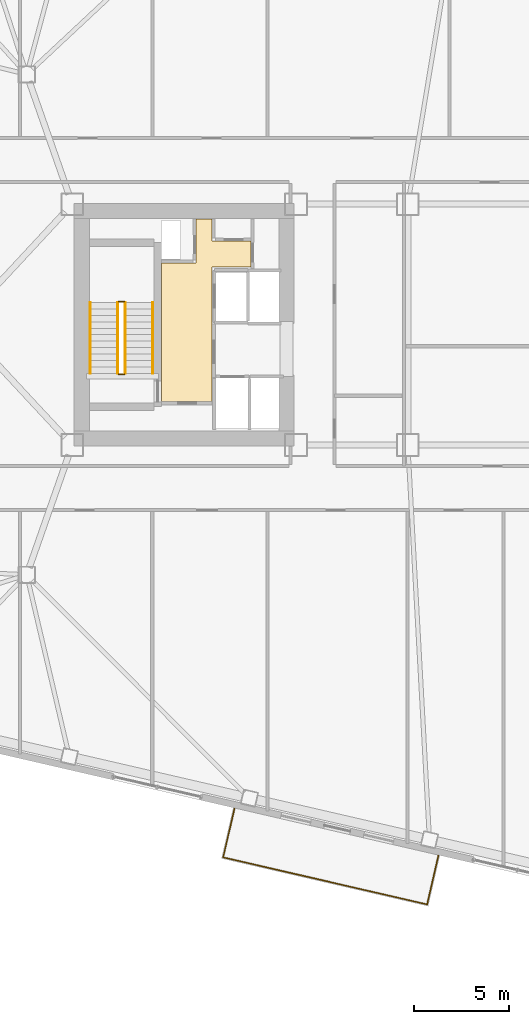
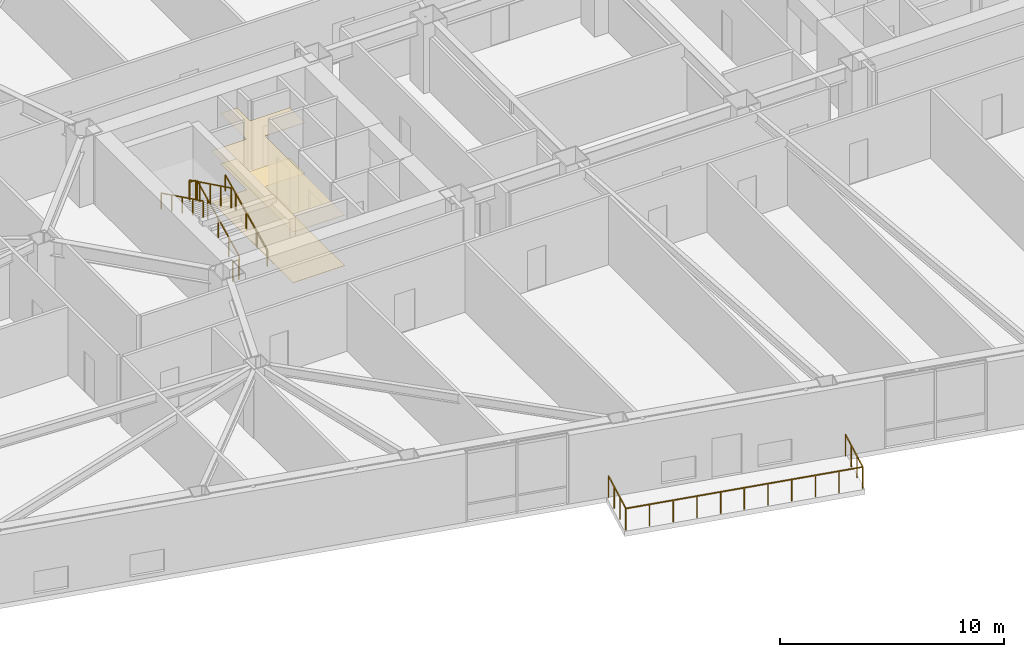
# One storey, part 20 of 21: 7 railings, 2 coverings.
"""IFC4 building model written with IfcOpenShell, lengths in metres."""

import ifcopenshell
import ifcopenshell.guid

model = None  # the IFC model being written
_history = None  # IfcOwnerHistory: only IFC2X3 demands one
_inside = {}  # id of a spatial element -> (the spatial element, [elements in it])
_under = {}  # id of a project, library or spatial element -> (it, [spatial elements below it])
_declared = {}  # id of a project -> (the project, [libraries it declares])
_typed = {}  # id of a type object -> (the type object, [elements of that type])
_made_of = {}  # id of a material, layer set ... -> (it, [elements and type objects made of it])


def new_model(schema):
    """Start an empty IFC model of exactly this schema.

    Asked for "IFC4X3", IfcOpenShell would pick the latest addendum, in which some entities
    have other attributes; the version numbers below select the first issue.
    IFC2X3 requires an IfcOwnerHistory on every rooted entity: one is made here for all.
    """
    global model, _history
    if schema == "IFC4X3":
        model = ifcopenshell.file(schema_version=(4, 3, 0, 0))
    else:
        model = ifcopenshell.file(schema=schema)
    _inside.clear()
    _under.clear()
    _declared.clear()
    _typed.clear()
    _made_of.clear()
    _history = None
    if model.schema == "IFC2X3":
        org = make("IfcOrganization", Name="unknown")
        user = make(
            "IfcPersonAndOrganization",
            ThePerson=make("IfcPerson", FamilyName="unknown"),
            TheOrganization=org,
        )
        app = make(
            "IfcApplication",
            ApplicationDeveloper=org,
            Version="unknown",
            ApplicationFullName="unknown",
            ApplicationIdentifier="unknown",
        )
        _history = make(
            "IfcOwnerHistory",
            OwningUser=user,
            OwningApplication=app,
            ChangeAction="ADDED",
            CreationDate=0,
        )
    return model


def make(cls, **values):
    """One entity of the class cls with the attributes given. An attribute that is None is left unset."""
    return model.create_entity(
        cls, **{name: value for name, value in values.items() if value is not None}
    )


def rooted(cls, **values):
    """An entity with a GlobalId (a new one), such as an element, a storey or a relation."""
    return make(cls, GlobalId=ifcopenshell.guid.new(), OwnerHistory=_history, **values)


def si_unit(unit_type, name, prefix=None):
    """IfcSIUnit, for example si_unit("LENGTHUNIT", "METRE", prefix="MILLI")."""
    return make("IfcSIUnit", UnitType=unit_type, Prefix=prefix, Name=name)


def assignment(units):
    """IfcUnitAssignment: the units of a project."""
    return None if units is None else make("IfcUnitAssignment", Units=units)


def point(xyz):
    """IfcCartesianPoint."""
    return None if xyz is None else make("IfcCartesianPoint", Coordinates=xyz)


def direction(xyz):
    """IfcDirection."""
    return None if xyz is None else make("IfcDirection", DirectionRatios=xyz)


def frame(location, z_axis=None, x_axis=None):
    """IfcAxis2Placement3D, a coordinate frame: its origin and axes. An axis left out is left unset."""
    return make(
        "IfcAxis2Placement3D",
        Location=point(location),
        Axis=direction(z_axis),
        RefDirection=direction(x_axis),
    )


def frame_2d(location, x_axis=None):
    """IfcAxis2Placement2D, a coordinate frame in the plane: its origin and x axis."""
    return make(
        "IfcAxis2Placement2D", Location=point(location), RefDirection=direction(x_axis)
    )


def origin():
    """The frame at (0, 0, 0) with its axes left unset."""
    return frame((0.0, 0.0, 0.0))


def origin_2d():
    """The frame at (0, 0) in the plane with its x axis left unset."""
    return frame_2d((0.0, 0.0))


def place(relative_to, where):
    """IfcLocalPlacement: puts the frame where relative to a parent placement (None: the world)."""
    return make(
        "IfcLocalPlacement", PlacementRelTo=relative_to, RelativePlacement=where
    )


def context(
    kind, dimensions, precision=None, world=None, true_north=None, identifier=None
):
    """IfcGeometricRepresentationContext, for example the 3D "Model" context."""
    return make(
        "IfcGeometricRepresentationContext",
        ContextIdentifier=identifier,
        ContextType=kind,
        CoordinateSpaceDimension=dimensions,
        Precision=precision,
        WorldCoordinateSystem=world,
        TrueNorth=true_north,
    )


def subcontext(parent, identifier, kind, view, scale=None):
    """IfcGeometricRepresentationSubContext, for example "Body" below "Model"."""
    return make(
        "IfcGeometricRepresentationSubContext",
        ContextIdentifier=identifier,
        ContextType=kind,
        ParentContext=parent,
        TargetScale=scale,
        TargetView=view,
    )


def project(units=None, contexts=None):
    """IfcProject with its units and contexts."""
    return rooted(
        "IfcProject",
        Name="project",
        RepresentationContexts=contexts,
        UnitsInContext=assignment(units),
    )


def spatial(cls, under=None, at=None, **own):
    """A site, building, storey or space (cls), placed at a placement, below another one or the project."""
    s = rooted(cls, ObjectPlacement=at, **own)
    if under is not None:
        _under.setdefault(under.id(), (under, []))[1].append(s)
    return s


def polyline(points):
    """IfcPolyline through the points."""
    return make("IfcPolyline", Points=[point(p) for p in points])


def profile(cls, at=None, kind="AREA", **sizes):
    """A parametric profile (cls). Its sizes go by their IFC names, for example OverallWidth=200.0."""
    return make(cls, ProfileType=kind, Position=at, **sizes)


def rectangle(**sizes):
    """IfcRectangleProfileDef."""
    return profile("IfcRectangleProfileDef", **sizes)


def outline(outer, holes=None, kind="AREA"):
    """IfcArbitraryClosedProfileDef: a profile drawn as a closed curve; with holes, ...WithVoids."""
    if holes is None:
        return make("IfcArbitraryClosedProfileDef", ProfileType=kind, OuterCurve=outer)
    return make(
        "IfcArbitraryProfileDefWithVoids",
        ProfileType=kind,
        OuterCurve=outer,
        InnerCurves=holes,
    )


def extrude(swept, where, along, depth):
    """IfcExtrudedAreaSolid: the profile swept, set in the frame where, extruded along a direction by depth."""
    return make(
        "IfcExtrudedAreaSolid",
        SweptArea=swept,
        Position=where,
        ExtrudedDirection=direction(along),
        Depth=depth,
    )


def shape(context_of_items, identifier, shape_type, items):
    """IfcShapeRepresentation: the items that make up one representation, for example the "Body"."""
    return make(
        "IfcShapeRepresentation",
        ContextOfItems=context_of_items,
        RepresentationIdentifier=identifier,
        RepresentationType=shape_type,
        Items=items,
    )


def material(Name=None, Category=None):
    """IfcMaterial."""
    return make("IfcMaterial", Name=Name, Category=Category)


def layer(
    of_material, thickness, ventilated=None, Name=None, Category=None, Priority=None
):
    """IfcMaterialLayer: one layer of a wall or slab, of a material (None: an air gap)."""
    return make(
        "IfcMaterialLayer",
        Material=of_material,
        LayerThickness=thickness,
        IsVentilated=ventilated,
        Name=Name,
        Category=Category,
        Priority=Priority,
    )


def layer_set(layers, Name=None):
    """IfcMaterialLayerSet."""
    return make("IfcMaterialLayerSet", MaterialLayers=layers, LayerSetName=Name)


def made_of(thing, what):
    """Note that an element or type object is made of a material, layer set ...; save() writes the relation."""
    if what is not None:
        _made_of.setdefault(what.id(), (what, []))[1].append(thing)
    return thing


def type_object(cls, material=None, **own):
    """A type object (cls), such as IfcWallType, which elements share."""
    return made_of(rooted(cls, **own), material)


def element(
    cls,
    number,
    at=None,
    inside=None,
    cuts=None,
    type_object=None,
    material=None,
    context=None,
    identifier="Body",
    shape_type=None,
    held_by="IfcProductDefinitionShape",
    body=None,
    shapes=None,
    **own,
):
    """One element of the class cls, such as IfcWall. Its Tag is "e" and its number.

    at: its placement. inside: the storey or other place that contains it. cuts: it is an
    opening in that element (IfcRelVoidsElement). A single representation is given by context,
    identifier, shape_type and body (its items); several are given by shapes. held_by: the class
    of the entity that holds the representations. save() writes the other relations.
    """
    e = rooted(cls, Tag="e%d" % number, ObjectPlacement=at, **own)
    if body is not None:
        shapes = [shape(context, identifier, shape_type, body)]
    if shapes is not None:
        e.Representation = make(held_by, Representations=shapes)
    if inside is not None:
        _inside.setdefault(inside.id(), (inside, []))[1].append(e)
    if cuts is not None:
        rooted(
            "IfcRelVoidsElement", RelatingBuildingElement=cuts, RelatedOpeningElement=e
        )
    if type_object is not None:
        _typed.setdefault(type_object.id(), (type_object, []))[1].append(e)
    return made_of(e, material)


def aggregate(whole, parts):
    """IfcRelAggregates: a whole, such as a stair, and the parts it consists of."""
    return rooted("IfcRelAggregates", RelatingObject=whole, RelatedObjects=parts)


def save(model, path):
    """Write the relations noted so far, then the file.

    IfcRelAggregates (storeys below a building ...), IfcRelContainedInSpatialStructure (elements
    in a storey), IfcRelDefinesByType, IfcRelAssociatesMaterial and IfcRelDeclares: one each for
    every whole, place, type object, material and project.
    """
    for whole, parts in _under.values():
        aggregate(whole, parts)
    for where, things in _inside.values():
        rooted(
            "IfcRelContainedInSpatialStructure",
            RelatedElements=things,
            RelatingStructure=where,
        )
    for kind, things in _typed.values():
        rooted("IfcRelDefinesByType", RelatedObjects=things, RelatingType=kind)
    for what, things in _made_of.values():
        rooted("IfcRelAssociatesMaterial", RelatedObjects=things, RelatingMaterial=what)
    for by, libraries in _declared.values():
        rooted("IfcRelDeclares", RelatingContext=by, RelatedDefinitions=libraries)
    model.write(path)


model = new_model("IFC4")

# Units and contexts
model_context = context("Model", 3, precision=1e-05, world=origin(), true_north=direction((0.0, 1.0)))
body_context = subcontext(model_context, "Body", "Model", "MODEL_VIEW")
ifc_project = project(units=[si_unit("LENGTHUNIT", "METRE"), si_unit("AREAUNIT", "SQUARE_METRE"), si_unit("VOLUMEUNIT", "CUBIC_METRE"), si_unit("PLANEANGLEUNIT", "RADIAN"), si_unit("MASSUNIT", "GRAM", prefix="KILO")], contexts=[model_context])

# Site, building, storey
site_placement = place(None, origin())
site = spatial("IfcSite", under=ifc_project, at=site_placement, CompositionType="ELEMENT")
building_placement = place(site_placement, origin())
building = spatial("IfcBuilding", under=site, at=building_placement, Name="Tavrogorsk Clinical Tower", CompositionType="ELEMENT")
storey_placement = place(building_placement, frame((0.0, 0.0, 59.39990234375)))
storey = spatial("IfcBuildingStorey", under=building, at=storey_placement, Name="L12", CompositionType="ELEMENT", Elevation=59.39990234375)

# Coverings
ifc_material_1 = material(Name="Antibacterial micro-perforated aluminium ceiling", Category="aluminium")
ifc_layer_1 = layer(ifc_material_1, 0.014892578125)
ifc_layer_set_1 = layer_set([ifc_layer_1], Name="Antibacterial micro-perforated aluminium ceiling")
covering_type_1 = type_object("IfcCoveringType", Name="ClinicalCeiling_15", PredefinedType="CEILING", material=ifc_layer_set_1)
covering_1_placement = place(storey_placement, frame((0.0, 0.0, 2.75)))
element("IfcCovering", 1, at=covering_1_placement, inside=storey, type_object=covering_type_1, Name="Core West Firefighting Lift Lobby Acoustic Ceiling", PredefinedType="CEILING", context=body_context, shape_type="SweptSolid", body=[
    extrude(outline(polyline([(-17.3798828125, -4.06005859375), (-17.3798828125, 3.239990234375), (-15.56005859375, 3.239990234375), (-15.56005859375, 5.56005859375), (-14.719970703125, 5.56005859375), (-14.719970703125, 4.39990234375), (-12.659912109375, 4.39990234375), (-12.659912109375, 3.0400390625), (-14.719970703125, 3.0400390625), (-14.719970703125, -4.06005859375), (-17.3798828125, -4.06005859375)])), origin(), (0.0, 0.0, 1.0), 0.01513671875),
])
ifc_material_2 = material(Name="Homogeneous medical conductive PVC flooring")
ifc_layer_2 = layer(ifc_material_2, 0.008056640625)
ifc_layer_set_2 = layer_set([ifc_layer_2], Name="Homogeneous medical conductive PVC flooring")
covering_type_2 = type_object("IfcCoveringType", Name="ResilientVinylFloor_8", PredefinedType="FLOORING", material=ifc_layer_set_2)
covering_2_placement = place(storey_placement, origin())
element("IfcCovering", 2, at=covering_2_placement, inside=storey, type_object=covering_type_2, Name="Core West Firefighting Lift Lobby Conductive Vinyl Flooring", PredefinedType="FLOORING", context=body_context, shape_type="SweptSolid", body=[
    extrude(outline(polyline([(-17.3798828125, -4.06005859375), (-17.3798828125, 3.239990234375), (-15.56005859375, 3.239990234375), (-15.56005859375, 5.56005859375), (-14.719970703125, 5.56005859375), (-14.719970703125, 4.39990234375), (-12.659912109375, 4.39990234375), (-12.659912109375, 3.0400390625), (-14.719970703125, 3.0400390625), (-14.719970703125, -4.06005859375), (-17.3798828125, -4.06005859375)])), origin(), (0.0, 0.0, 1.0), 0.008056640625),
])

# Railings
ifc_material_3 = material(Name="Galvanised steel S355 safety stairwell guard", Category="steel")
ifc_layer_3 = layer(ifc_material_3, 0.06005859375)
ifc_layer_set_3 = layer_set([ifc_layer_3], Name="Galvanised steel S355 safety stairwell guard")
railing_type_1 = type_object("IfcRailingType", Name="StairGuard_1150", PredefinedType="GUARDRAIL", material=ifc_layer_set_3)
railing_1_placement = place(storey_placement, frame((-19.300048828125, -2.574951171875, 0.166748046875)))
element("IfcRailing", 3, at=railing_1_placement, inside=storey, type_object=railing_type_1, Name="L12 ST-W stair guard 1", PredefinedType="GUARDRAIL", context=body_context, shape_type="SweptSolid", body=[
    extrude(rectangle(XDim=0.048095703125, YDim=0.048095703125, at=origin_2d()), frame((0.0, 0.0, 1.076171875), z_axis=(0.0, 0.897927990467, 0.440142390523), x_axis=(-1.0, 0.0, 0.0)), (0.0, 0.0, 1.0), 4.1650390625),
    extrude(rectangle(XDim=0.0419921875, YDim=0.0419921875, at=origin_2d()), origin(), (0.0, 0.0, 1.0), 1.052001953125),
    extrude(rectangle(XDim=0.0419921875, YDim=0.0419921875, at=origin_2d()), frame((0.0, 0.93505859375, 0.458251953125)), (0.0, 0.0, 1.0), 1.052001953125),
    extrude(rectangle(XDim=0.0419921875, YDim=0.0419921875, at=origin_2d()), frame((0.0, 1.8701171875, 0.91650390625)), (0.0, 0.0, 1.0), 1.052001953125),
    extrude(rectangle(XDim=0.0419921875, YDim=0.0419921875, at=origin_2d()), frame((0.0, 2.804931640625, 1.375)), (0.0, 0.0, 1.0), 1.052001953125),
    extrude(rectangle(XDim=0.0419921875, YDim=0.0419921875, at=origin_2d()), frame((0.0, 3.739990234375, 1.833251953125)), (0.0, 0.0, 1.0), 1.052001953125),
])
railing_2_placement = place(storey_placement, frame((-19.35009765625, 1.215087890625, 2.0)))
element("IfcRailing", 4, at=railing_2_placement, inside=storey, type_object=railing_type_1, Name="L12 ST-W stair guard 2", PredefinedType="GUARDRAIL", context=body_context, shape_type="SweptSolid", body=[
    extrude(rectangle(XDim=0.048095703125, YDim=0.048095703125, at=origin_2d()), frame((0.0, 0.0, 1.076171875), z_axis=(-1.0, 0.0, 0.0), x_axis=(0.0, -1.0, 0.0)), (0.0, 0.0, 1.0), 0.2998046875),
    extrude(rectangle(XDim=0.0419921875, YDim=0.0419921875, at=origin_2d()), origin(), (0.0, 0.0, 1.0), 1.052001953125),
    extrude(rectangle(XDim=0.0419921875, YDim=0.0419921875, at=origin_2d()), frame((-0.2998046875, 0.0, 0.0)), (0.0, 0.0, 1.0), 1.052001953125),
])
railing_3_placement = place(storey_placement, frame((-19.699951171875, 1.1650390625, 2.166748046875)))
element("IfcRailing", 5, at=railing_3_placement, inside=storey, type_object=railing_type_1, Name="L12 ST-W stair guard 3", PredefinedType="GUARDRAIL", context=body_context, shape_type="SweptSolid", body=[
    extrude(rectangle(XDim=0.048095703125, YDim=0.048095703125, at=origin_2d()), frame((0.0, 0.0, 1.076171875), z_axis=(0.0, -0.897927990467, 0.440142390523), x_axis=(1.0, 0.0, 0.0)), (0.0, 0.0, 1.0), 4.1650390625),
    extrude(rectangle(XDim=0.0419921875, YDim=0.0419921875, at=origin_2d()), origin(), (0.0, 0.0, 1.0), 1.052001953125),
    extrude(rectangle(XDim=0.0419921875, YDim=0.0419921875, at=origin_2d()), frame((0.0, -0.93505859375, 0.458251953125)), (0.0, 0.0, 1.0), 1.052001953125),
    extrude(rectangle(XDim=0.0419921875, YDim=0.0419921875, at=origin_2d()), frame((0.0, -1.8701171875, 0.91650390625)), (0.0, 0.0, 1.0), 1.052001953125),
    extrude(rectangle(XDim=0.0419921875, YDim=0.0419921875, at=origin_2d()), frame((0.0, -2.804931640625, 1.375)), (0.0, 0.0, 1.0), 1.052001953125),
    extrude(rectangle(XDim=0.0419921875, YDim=0.0419921875, at=origin_2d()), frame((0.0, -3.739990234375, 1.833251953125)), (0.0, 0.0, 1.0), 1.052001953125),
])
railing_4_placement = place(storey_placement, frame((-19.35009765625, -2.625, 0.0)))
element("IfcRailing", 6, at=railing_4_placement, inside=storey, type_object=railing_type_1, Name="L12 ST-W stair guard 4", PredefinedType="GUARDRAIL", context=body_context, shape_type="SweptSolid", body=[
    extrude(rectangle(XDim=0.048095703125, YDim=0.048095703125, at=origin_2d()), frame((0.0, 0.0, 1.076171875), z_axis=(-1.0, 0.0, 0.0), x_axis=(0.0, -1.0, 0.0)), (0.0, 0.0, 1.0), 0.2998046875),
    extrude(rectangle(XDim=0.0419921875, YDim=0.0419921875, at=origin_2d()), origin(), (0.0, 0.0, 1.0), 1.052001953125),
    extrude(rectangle(XDim=0.0419921875, YDim=0.0419921875, at=origin_2d()), frame((-0.2998046875, 0.0, 0.0)), (0.0, 0.0, 1.0), 1.052001953125),
])
ifc_material_4 = material(Name="Stainless steel AISI 304 tubular handrail", Category="steel")
ifc_layer_4 = layer(ifc_material_4, 0.050048828125)
ifc_layer_set_4 = layer_set([ifc_layer_4], Name="Stainless steel AISI 304 tubular handrail")
railing_type_2 = type_object("IfcRailingType", Name="StairHandrail_920", PredefinedType="HANDRAIL", material=ifc_layer_set_4)
railing_5_placement = place(storey_placement, frame((-17.85009765625, -2.574951171875, 0.166748046875)))
element("IfcRailing", 7, at=railing_5_placement, inside=storey, type_object=railing_type_2, Name="L12 ST-W stair handrail 1", PredefinedType="HANDRAIL", context=body_context, shape_type="SweptSolid", body=[
    extrude(rectangle(XDim=0.048095703125, YDim=0.048095703125, at=origin_2d()), frame((0.0, 0.0, 0.8759765625), z_axis=(0.0, 0.897927990467, 0.440142390523), x_axis=(-1.0, 0.0, 0.0)), (0.0, 0.0, 1.0), 4.1650390625),
    extrude(rectangle(XDim=0.0419921875, YDim=0.0419921875, at=origin_2d()), origin(), (0.0, 0.0, 1.0), 0.851806640625),
    extrude(rectangle(XDim=0.0419921875, YDim=0.0419921875, at=origin_2d()), frame((0.0, 0.93505859375, 0.458251953125)), (0.0, 0.0, 1.0), 0.851806640625),
    extrude(rectangle(XDim=0.0419921875, YDim=0.0419921875, at=origin_2d()), frame((0.0, 1.8701171875, 0.91650390625)), (0.0, 0.0, 1.0), 0.851806640625),
    extrude(rectangle(XDim=0.0419921875, YDim=0.0419921875, at=origin_2d()), frame((0.0, 2.804931640625, 1.375)), (0.0, 0.0, 1.0), 0.851806640625),
    extrude(rectangle(XDim=0.0419921875, YDim=0.0419921875, at=origin_2d()), frame((0.0, 3.739990234375, 1.833251953125)), (0.0, 0.0, 1.0), 0.851806640625),
])
railing_6_placement = place(storey_placement, frame((-21.14990234375, 1.1650390625, 2.166748046875)))
element("IfcRailing", 8, at=railing_6_placement, inside=storey, type_object=railing_type_2, Name="L12 ST-W stair handrail 2", PredefinedType="HANDRAIL", context=body_context, shape_type="SweptSolid", body=[
    extrude(rectangle(XDim=0.048095703125, YDim=0.048095703125, at=origin_2d()), frame((0.0, 0.0, 0.8759765625), z_axis=(0.0, -0.897927990467, 0.440142390523), x_axis=(1.0, 0.0, 0.0)), (0.0, 0.0, 1.0), 4.1650390625),
    extrude(rectangle(XDim=0.0419921875, YDim=0.0419921875, at=origin_2d()), origin(), (0.0, 0.0, 1.0), 0.851806640625),
    extrude(rectangle(XDim=0.0419921875, YDim=0.0419921875, at=origin_2d()), frame((0.0, -0.93505859375, 0.458251953125)), (0.0, 0.0, 1.0), 0.851806640625),
    extrude(rectangle(XDim=0.0419921875, YDim=0.0419921875, at=origin_2d()), frame((0.0, -1.8701171875, 0.91650390625)), (0.0, 0.0, 1.0), 0.851806640625),
    extrude(rectangle(XDim=0.0419921875, YDim=0.0419921875, at=origin_2d()), frame((0.0, -2.804931640625, 1.375)), (0.0, 0.0, 1.0), 0.851806640625),
    extrude(rectangle(XDim=0.0419921875, YDim=0.0419921875, at=origin_2d()), frame((0.0, -3.739990234375, 1.833251953125)), (0.0, 0.0, 1.0), 0.851806640625),
])
ifc_material_5 = material(Name="Stainless steel AISI 316 and laminated glass balustrade", Category="steel")
ifc_layer_5 = layer(ifc_material_5, 0.090087890625)
ifc_layer_set_5 = layer_set([ifc_layer_5], Name="Stainless steel AISI 316 and laminated glass balustrade")
railing_type_3 = type_object("IfcRailingType", Name="TerraceGuardRailing_1200", PredefinedType="BALUSTRADE", material=ifc_layer_set_5)
railing_7_placement = place(storey_placement, frame((-13.541748046875, -25.521728515625, 0.0)))
element("IfcRailing", 9, at=railing_7_placement, inside=storey, type_object=railing_type_3, Name="L12 Spiralling Terrace Balustrade GD-01", PredefinedType="BALUSTRADE", context=body_context, shape_type="SweptSolid", body=[
    extrude(rectangle(XDim=0.048095703125, YDim=0.048095703125, at=origin_2d()), frame((0.0, 0.0, 1.17578125), z_axis=(-0.224980619228, -0.974363238721, 0.0), x_axis=(0.974363238721, -0.224980619228, 0.0)), (0.0, 0.0, 1.0), 2.64990234375),
    extrude(rectangle(XDim=0.048095703125, YDim=0.048095703125, at=origin_2d()), frame((-0.59619140625, -2.58203125, 1.17578125), z_axis=(0.974371438286, -0.224945104974, 0.0), x_axis=(0.224945104974, 0.974371438286, 0.0)), (0.0, 0.0, 1.0), 11.0400390625),
    extrude(rectangle(XDim=0.048095703125, YDim=0.048095703125, at=origin_2d()), frame((10.160888671875, -5.0654296875, 1.17578125), z_axis=(0.224980619228, 0.974363238721, 0.0), x_axis=(-0.974363238721, 0.224980619228, 0.0)), (0.0, 0.0, 1.0), 2.64990234375),
    extrude(rectangle(XDim=0.0419921875, YDim=0.0419921875, at=origin_2d()), origin(), (0.0, 0.0, 1.0), 1.15185546875),
    extrude(rectangle(XDim=0.0419921875, YDim=0.0419921875, at=origin_2d()), frame((-0.19873046875, -0.860595703125, 0.0)), (0.0, 0.0, 1.0), 1.15185546875),
    extrude(rectangle(XDim=0.0419921875, YDim=0.0419921875, at=origin_2d()), frame((-0.3974609375, -1.721435546875, 0.0)), (0.0, 0.0, 1.0), 1.15185546875),
    extrude(rectangle(XDim=0.0419921875, YDim=0.0419921875, at=origin_2d()), frame((-0.59619140625, -2.58203125, 0.0)), (0.0, 0.0, 1.0), 1.15185546875),
    extrude(rectangle(XDim=0.0419921875, YDim=0.0419921875, at=origin_2d()), frame((0.4794921875, -2.830322265625, 0.0)), (0.0, 0.0, 1.0), 1.15185546875),
    extrude(rectangle(XDim=0.0419921875, YDim=0.0419921875, at=origin_2d()), frame((1.55517578125, -3.07861328125, 0.0)), (0.0, 0.0, 1.0), 1.15185546875),
    extrude(rectangle(XDim=0.0419921875, YDim=0.0419921875, at=origin_2d()), frame((2.630859375, -3.3271484375, 0.0)), (0.0, 0.0, 1.0), 1.15185546875),
    extrude(rectangle(XDim=0.0419921875, YDim=0.0419921875, at=origin_2d()), frame((3.70654296875, -3.575439453125, 0.0)), (0.0, 0.0, 1.0), 1.15185546875),
    extrude(rectangle(XDim=0.0419921875, YDim=0.0419921875, at=origin_2d()), frame((4.7822265625, -3.82373046875, 0.0)), (0.0, 0.0, 1.0), 1.15185546875),
    extrude(rectangle(XDim=0.0419921875, YDim=0.0419921875, at=origin_2d()), frame((5.858154296875, -4.072021484375, 0.0)), (0.0, 0.0, 1.0), 1.15185546875),
    extrude(rectangle(XDim=0.0419921875, YDim=0.0419921875, at=origin_2d()), frame((6.933837890625, -4.3203125, 0.0)), (0.0, 0.0, 1.0), 1.15185546875),
    extrude(rectangle(XDim=0.0419921875, YDim=0.0419921875, at=origin_2d()), frame((8.009521484375, -4.56884765625, 0.0)), (0.0, 0.0, 1.0), 1.15185546875),
    extrude(rectangle(XDim=0.0419921875, YDim=0.0419921875, at=origin_2d()), frame((9.085205078125, -4.817138671875, 0.0)), (0.0, 0.0, 1.0), 1.15185546875),
    extrude(rectangle(XDim=0.0419921875, YDim=0.0419921875, at=origin_2d()), frame((10.160888671875, -5.0654296875, 0.0)), (0.0, 0.0, 1.0), 1.15185546875),
    extrude(rectangle(XDim=0.0419921875, YDim=0.0419921875, at=origin_2d()), frame((10.359619140625, -4.204833984375, 0.0)), (0.0, 0.0, 1.0), 1.15185546875),
    extrude(rectangle(XDim=0.0419921875, YDim=0.0419921875, at=origin_2d()), frame((10.558349609375, -3.343994140625, 0.0)), (0.0, 0.0, 1.0), 1.15185546875),
    extrude(rectangle(XDim=0.0419921875, YDim=0.0419921875, at=origin_2d()), frame((10.757080078125, -2.4833984375, 0.0)), (0.0, 0.0, 1.0), 1.15185546875),
])

save(model, "model.ifc")
